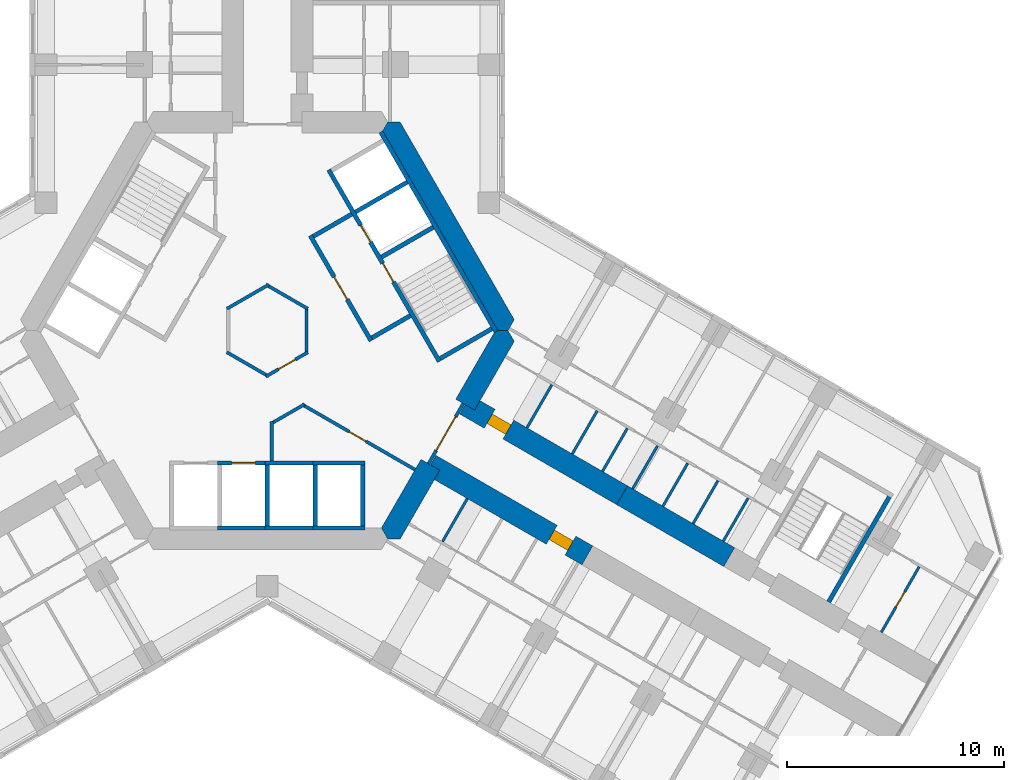
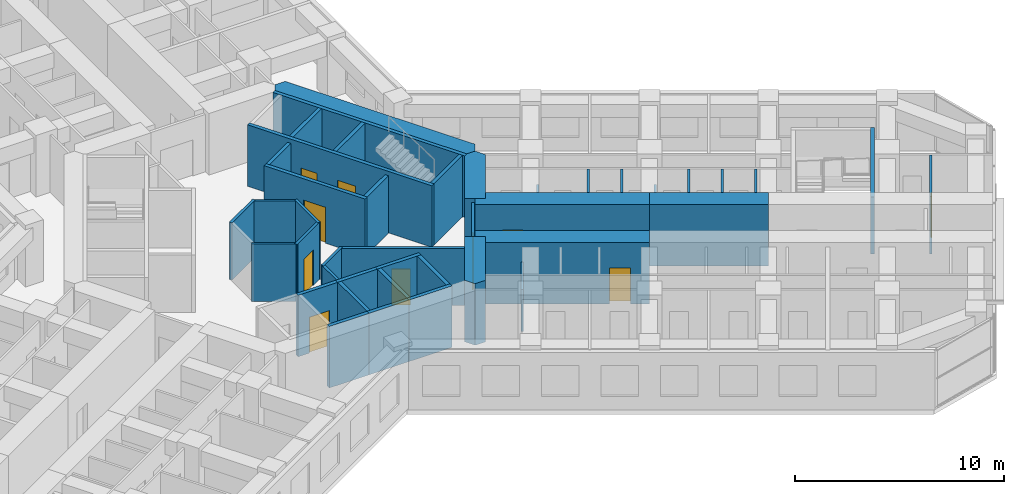
# One storey, part 15 of 21: 42 walls, 10 doors, 10 openings.
"""IFC4 building model written with IfcOpenShell, lengths in metres."""

import ifcopenshell
import ifcopenshell.guid

model = None  # the IFC model being written
_history = None  # IfcOwnerHistory: only IFC2X3 demands one
_inside = {}  # id of a spatial element -> (the spatial element, [elements in it])
_under = {}  # id of a project, library or spatial element -> (it, [spatial elements below it])
_declared = {}  # id of a project -> (the project, [libraries it declares])
_typed = {}  # id of a type object -> (the type object, [elements of that type])
_made_of = {}  # id of a material, layer set ... -> (it, [elements and type objects made of it])


def new_model(schema):
    """Start an empty IFC model of exactly this schema.

    Asked for "IFC4X3", IfcOpenShell would pick the latest addendum, in which some entities
    have other attributes; the version numbers below select the first issue.
    IFC2X3 requires an IfcOwnerHistory on every rooted entity: one is made here for all.
    """
    global model, _history
    if schema == "IFC4X3":
        model = ifcopenshell.file(schema_version=(4, 3, 0, 0))
    else:
        model = ifcopenshell.file(schema=schema)
    _inside.clear()
    _under.clear()
    _declared.clear()
    _typed.clear()
    _made_of.clear()
    _history = None
    if model.schema == "IFC2X3":
        org = make("IfcOrganization", Name="unknown")
        user = make(
            "IfcPersonAndOrganization",
            ThePerson=make("IfcPerson", FamilyName="unknown"),
            TheOrganization=org,
        )
        app = make(
            "IfcApplication",
            ApplicationDeveloper=org,
            Version="unknown",
            ApplicationFullName="unknown",
            ApplicationIdentifier="unknown",
        )
        _history = make(
            "IfcOwnerHistory",
            OwningUser=user,
            OwningApplication=app,
            ChangeAction="ADDED",
            CreationDate=0,
        )
    return model


def make(cls, **values):
    """One entity of the class cls with the attributes given. An attribute that is None is left unset."""
    return model.create_entity(
        cls, **{name: value for name, value in values.items() if value is not None}
    )


def rooted(cls, **values):
    """An entity with a GlobalId (a new one), such as an element, a storey or a relation."""
    return make(cls, GlobalId=ifcopenshell.guid.new(), OwnerHistory=_history, **values)


def si_unit(unit_type, name, prefix=None):
    """IfcSIUnit, for example si_unit("LENGTHUNIT", "METRE", prefix="MILLI")."""
    return make("IfcSIUnit", UnitType=unit_type, Prefix=prefix, Name=name)


def assignment(units):
    """IfcUnitAssignment: the units of a project."""
    return None if units is None else make("IfcUnitAssignment", Units=units)


def point(xyz):
    """IfcCartesianPoint."""
    return None if xyz is None else make("IfcCartesianPoint", Coordinates=xyz)


def direction(xyz):
    """IfcDirection."""
    return None if xyz is None else make("IfcDirection", DirectionRatios=xyz)


def frame(location, z_axis=None, x_axis=None):
    """IfcAxis2Placement3D, a coordinate frame: its origin and axes. An axis left out is left unset."""
    return make(
        "IfcAxis2Placement3D",
        Location=point(location),
        Axis=direction(z_axis),
        RefDirection=direction(x_axis),
    )


def frame_2d(location, x_axis=None):
    """IfcAxis2Placement2D, a coordinate frame in the plane: its origin and x axis."""
    return make(
        "IfcAxis2Placement2D", Location=point(location), RefDirection=direction(x_axis)
    )


def origin():
    """The frame at (0, 0, 0) with its axes left unset."""
    return frame((0.0, 0.0, 0.0))


def place(relative_to, where):
    """IfcLocalPlacement: puts the frame where relative to a parent placement (None: the world)."""
    return make(
        "IfcLocalPlacement", PlacementRelTo=relative_to, RelativePlacement=where
    )


def context(
    kind, dimensions, precision=None, world=None, true_north=None, identifier=None
):
    """IfcGeometricRepresentationContext, for example the 3D "Model" context."""
    return make(
        "IfcGeometricRepresentationContext",
        ContextIdentifier=identifier,
        ContextType=kind,
        CoordinateSpaceDimension=dimensions,
        Precision=precision,
        WorldCoordinateSystem=world,
        TrueNorth=true_north,
    )


def subcontext(parent, identifier, kind, view, scale=None):
    """IfcGeometricRepresentationSubContext, for example "Body" below "Model"."""
    return make(
        "IfcGeometricRepresentationSubContext",
        ContextIdentifier=identifier,
        ContextType=kind,
        ParentContext=parent,
        TargetScale=scale,
        TargetView=view,
    )


def project(units=None, contexts=None):
    """IfcProject with its units and contexts."""
    return rooted(
        "IfcProject",
        Name="project",
        RepresentationContexts=contexts,
        UnitsInContext=assignment(units),
    )


def spatial(cls, under=None, at=None, **own):
    """A site, building, storey or space (cls), placed at a placement, below another one or the project."""
    s = rooted(cls, ObjectPlacement=at, **own)
    if under is not None:
        _under.setdefault(under.id(), (under, []))[1].append(s)
    return s


def polyline(points):
    """IfcPolyline through the points."""
    return make("IfcPolyline", Points=[point(p) for p in points])


def profile(cls, at=None, kind="AREA", **sizes):
    """A parametric profile (cls). Its sizes go by their IFC names, for example OverallWidth=200.0."""
    return make(cls, ProfileType=kind, Position=at, **sizes)


def rectangle(**sizes):
    """IfcRectangleProfileDef."""
    return profile("IfcRectangleProfileDef", **sizes)


def outline(outer, holes=None, kind="AREA"):
    """IfcArbitraryClosedProfileDef: a profile drawn as a closed curve; with holes, ...WithVoids."""
    if holes is None:
        return make("IfcArbitraryClosedProfileDef", ProfileType=kind, OuterCurve=outer)
    return make(
        "IfcArbitraryProfileDefWithVoids",
        ProfileType=kind,
        OuterCurve=outer,
        InnerCurves=holes,
    )


def extrude(swept, where, along, depth):
    """IfcExtrudedAreaSolid: the profile swept, set in the frame where, extruded along a direction by depth."""
    return make(
        "IfcExtrudedAreaSolid",
        SweptArea=swept,
        Position=where,
        ExtrudedDirection=direction(along),
        Depth=depth,
    )


def shape(context_of_items, identifier, shape_type, items):
    """IfcShapeRepresentation: the items that make up one representation, for example the "Body"."""
    return make(
        "IfcShapeRepresentation",
        ContextOfItems=context_of_items,
        RepresentationIdentifier=identifier,
        RepresentationType=shape_type,
        Items=items,
    )


def material(Name=None, Category=None):
    """IfcMaterial."""
    return make("IfcMaterial", Name=Name, Category=Category)


def layer(
    of_material, thickness, ventilated=None, Name=None, Category=None, Priority=None
):
    """IfcMaterialLayer: one layer of a wall or slab, of a material (None: an air gap)."""
    return make(
        "IfcMaterialLayer",
        Material=of_material,
        LayerThickness=thickness,
        IsVentilated=ventilated,
        Name=Name,
        Category=Category,
        Priority=Priority,
    )


def layer_set(layers, Name=None):
    """IfcMaterialLayerSet."""
    return make("IfcMaterialLayerSet", MaterialLayers=layers, LayerSetName=Name)


def made_of(thing, what):
    """Note that an element or type object is made of a material, layer set ...; save() writes the relation."""
    if what is not None:
        _made_of.setdefault(what.id(), (what, []))[1].append(thing)
    return thing


def type_object(cls, material=None, **own):
    """A type object (cls), such as IfcWallType, which elements share."""
    return made_of(rooted(cls, **own), material)


def element(
    cls,
    number,
    at=None,
    inside=None,
    cuts=None,
    type_object=None,
    material=None,
    context=None,
    identifier="Body",
    shape_type=None,
    held_by="IfcProductDefinitionShape",
    body=None,
    shapes=None,
    **own,
):
    """One element of the class cls, such as IfcWall. Its Tag is "e" and its number.

    at: its placement. inside: the storey or other place that contains it. cuts: it is an
    opening in that element (IfcRelVoidsElement). A single representation is given by context,
    identifier, shape_type and body (its items); several are given by shapes. held_by: the class
    of the entity that holds the representations. save() writes the other relations.
    """
    e = rooted(cls, Tag="e%d" % number, ObjectPlacement=at, **own)
    if body is not None:
        shapes = [shape(context, identifier, shape_type, body)]
    if shapes is not None:
        e.Representation = make(held_by, Representations=shapes)
    if inside is not None:
        _inside.setdefault(inside.id(), (inside, []))[1].append(e)
    if cuts is not None:
        rooted(
            "IfcRelVoidsElement", RelatingBuildingElement=cuts, RelatedOpeningElement=e
        )
    if type_object is not None:
        _typed.setdefault(type_object.id(), (type_object, []))[1].append(e)
    return made_of(e, material)


def fill(opening, filler):
    """IfcRelFillsElement: the door or window that sits in an opening."""
    return rooted(
        "IfcRelFillsElement",
        RelatingOpeningElement=opening,
        RelatedBuildingElement=filler,
    )


def aggregate(whole, parts):
    """IfcRelAggregates: a whole, such as a stair, and the parts it consists of."""
    return rooted("IfcRelAggregates", RelatingObject=whole, RelatedObjects=parts)


def save(model, path):
    """Write the relations noted so far, then the file.

    IfcRelAggregates (storeys below a building ...), IfcRelContainedInSpatialStructure (elements
    in a storey), IfcRelDefinesByType, IfcRelAssociatesMaterial and IfcRelDeclares: one each for
    every whole, place, type object, material and project.
    """
    for whole, parts in _under.values():
        aggregate(whole, parts)
    for where, things in _inside.values():
        rooted(
            "IfcRelContainedInSpatialStructure",
            RelatedElements=things,
            RelatingStructure=where,
        )
    for kind, things in _typed.values():
        rooted("IfcRelDefinesByType", RelatedObjects=things, RelatingType=kind)
    for what, things in _made_of.values():
        rooted("IfcRelAssociatesMaterial", RelatedObjects=things, RelatingMaterial=what)
    for by, libraries in _declared.values():
        rooted("IfcRelDeclares", RelatingContext=by, RelatedDefinitions=libraries)
    model.write(path)


model = new_model("IFC4")

# Units and contexts
model_context = context("Model", 3, precision=1e-05, world=origin(), true_north=direction((0.0, 1.0)))
body_context = subcontext(model_context, "Body", "Model", "MODEL_VIEW")
ifc_project = project(units=[si_unit("LENGTHUNIT", "METRE"), si_unit("AREAUNIT", "SQUARE_METRE"), si_unit("VOLUMEUNIT", "CUBIC_METRE"), si_unit("PLANEANGLEUNIT", "RADIAN"), si_unit("MASSUNIT", "GRAM", prefix="KILO")], contexts=[model_context])

# Site, building, storey
site_placement = place(None, origin())
site = spatial("IfcSite", under=ifc_project, at=site_placement, CompositionType="ELEMENT")
building_placement = place(site_placement, origin())
building = spatial("IfcBuilding", under=site, at=building_placement, Name="Kosmar Iwan School Tower", CompositionType="ELEMENT")
storey_placement = place(building_placement, frame((0.0, 0.0, 64.60009765625)))
storey = spatial("IfcBuildingStorey", under=building, at=storey_placement, Name="L15", CompositionType="ELEMENT", Elevation=64.60009765625)

# Wall, opening, door
ifc_material_1 = material(Name="Gypsum board on steel studs, fire-rated", Category="steel")
ifc_layer_1 = layer(ifc_material_1, 0.14990234375)
ifc_layer_set_1 = layer_set([ifc_layer_1], Name="Core room partition 150")
wall_type_1 = type_object("IfcWallType", Name="Core room partition 150", PredefinedType="PARTITIONING", material=ifc_layer_set_1)
wall_1_placement = place(storey_placement, frame((1.864990234375, -1.001708984375, 0.0), z_axis=(0.0, 0.0, 1.0), x_axis=(-0.866023215828, -0.500003789632, 0.0)))
wall_1 = element("IfcWall", 1, at=wall_1_placement, inside=storey, type_object=wall_type_1, Name="Core room partition L15-CW4", PredefinedType="PARTITIONING", context=body_context, shape_type="SweptSolid", body=[
    extrude(rectangle(XDim=2.228515625, YDim=0.14990234375, at=frame_2d((1.1142578125, 0.0))), origin(), (0.0, 0.0, 1.0), 3.349853515625),
])
opening_1_placement = place(wall_1_placement, frame((0.6640625, 0.0, 0.0)))
opening_1 = element("IfcOpeningElement", 2, at=opening_1_placement, cuts=wall_1, Name="Opening D14", PredefinedType="OPENING", context=body_context, shape_type="SweptSolid", body=[
    extrude(rectangle(XDim=0.89990234375, YDim=2.10009765625, at=frame_2d((0.449951171875, 1.050048828125))), frame((0.0, 0.0869140625, 0.0), z_axis=(0.0, -1.0, 0.0), x_axis=(1.0, 0.0, 0.0)), (0.0, 0.0, 1.0), 0.173828125),
])
ifc_material_2 = material(Name="Timber fire door in steel frame", Category="steel")
door_type_1 = type_object("IfcDoorType", Name="Core room door 900x2100", OperationType="SINGLE_SWING_LEFT", PredefinedType="DOOR", material=ifc_material_2)
door_1_placement = place(opening_1_placement, origin())
door_1 = element("IfcDoor", 3, at=door_1_placement, inside=storey, type_object=door_type_1, Name="Parcel room door L15 3", OperationType="SINGLE_SWING_RIGHT", OverallHeight=2.10009765625, OverallWidth=0.89990234375, PredefinedType="DOOR", context=body_context, shape_type="SweptSolid", body=[
    extrude(rectangle(XDim=0.89990234375, YDim=2.10009765625, at=frame_2d((0.449951171875, 1.050048828125))), frame((0.0, 0.02490234375, 0.0), z_axis=(0.0, -1.0, 0.0), x_axis=(1.0, 0.0, 0.0)), (0.0, 0.0, 1.0), 0.050048828125),
])
fill(opening_1, door_1)

# Walls
for number, where, z_axis, x_axis, name in (
    (4, (0.06494140625, -2.115966796875, 0.0), (0.0, 0.0, 1.0), (-0.866023215828, 0.500003789632, 0.0), "Core room partition L15-CW5"),
    (5, (-1.864990234375, 1.001708984375, 0.0), (0.0, 0.0, 1.0), (0.866023215828, 0.500003789632, 0.0), "Core room partition L15-CW7"),
    (6, (-0.06494140625, 2.115966796875, 0.0), (0.0, 0.0, 1.0), (0.866023215828, -0.500003789632, 0.0), "Core room partition L15-CW8"),
    (7, (1.800048828125, 1.1142578125, 0.0), (0.0, 0.0, 1.0), (0.0, -1.0, 0.0), "Core room partition L15-CW9"),
):
    element("IfcWall", number, at=place(storey_placement, frame(where, z_axis=z_axis, x_axis=x_axis)), inside=storey, type_object=wall_type_1, Name=name, PredefinedType="PARTITIONING", context=body_context, shape_type="SweptSolid", body=[
        extrude(rectangle(XDim=2.228515625, YDim=0.14990234375, at=frame_2d((1.1142578125, 0.0))), origin(), (0.0, 0.0, 1.0), 3.349853515625),
    ])
wall_2_placement = place(storey_placement, frame((0.199951171875, -6.0048828125, 0.0), z_axis=(0.0, 0.0, 1.0), x_axis=(0.0, 1.0, 0.0)))
element("IfcWall", 8, at=wall_2_placement, inside=storey, type_object=wall_type_1, Name="Core room partition L15-CW10", PredefinedType="PARTITIONING", context=body_context, shape_type="SweptSolid", body=[
    extrude(rectangle(XDim=1.807373046875, YDim=0.14990234375, at=frame_2d((0.90380859375, 0.0))), origin(), (0.0, 0.0, 1.0), 3.349853515625),
])
wall_3_placement = place(storey_placement, frame((0.135009765625, -4.309814453125, 0.0), z_axis=(0.0, 0.0, 1.0), x_axis=(0.866027350463, 0.499996628238, 0.0)))
element("IfcWall", 9, at=wall_3_placement, inside=storey, type_object=wall_type_1, Name="Core room partition L15-CW11", PredefinedType="PARTITIONING", context=body_context, shape_type="SweptSolid", body=[
    extrude(rectangle(XDim=1.82421875, YDim=0.14990234375, at=frame_2d((0.912109375, 0.0))), origin(), (0.0, 0.0, 1.0), 3.349853515625),
])

# Wall, opening, door
wall_4_placement = place(storey_placement, frame((1.5849609375, -3.397705078125, 0.0), z_axis=(0.0, 0.0, 1.0), x_axis=(0.866029672069, -0.499992607041, 0.0)))
wall_4 = element("IfcWall", 10, at=wall_4_placement, inside=storey, type_object=wall_type_1, Name="Core room partition L15-CW12", PredefinedType="PARTITIONING", context=body_context, shape_type="SweptSolid", body=[
    extrude(rectangle(XDim=6.0234375, YDim=0.14990234375, at=frame_2d((3.01171875, 0.0))), origin(), (0.0, 0.0, 1.0), 3.349853515625),
])
opening_2_placement = place(wall_4_placement, frame((2.52197265625, 0.0, 0.0)))
opening_2 = element("IfcOpeningElement", 11, at=opening_2_placement, cuts=wall_4, Name="Opening D14", PredefinedType="OPENING", context=body_context, shape_type="SweptSolid", body=[
    extrude(rectangle(XDim=0.89990234375, YDim=2.10009765625, at=frame_2d((0.449951171875, 1.050048828125))), frame((0.0, 0.0869140625, 0.0), z_axis=(0.0, -1.0, 0.0), x_axis=(1.0, 0.0, 0.0)), (0.0, 0.0, 1.0), 0.173828125),
])
door_2_placement = place(opening_2_placement, origin())
door_2 = element("IfcDoor", 12, at=door_2_placement, inside=storey, type_object=door_type_1, Name="Staff WC door L15 4", OperationType="SINGLE_SWING_LEFT", OverallHeight=2.10009765625, OverallWidth=0.89990234375, PredefinedType="DOOR", context=body_context, shape_type="SweptSolid", body=[
    extrude(rectangle(XDim=0.89990234375, YDim=2.10009765625, at=frame_2d((0.449951171875, 1.050048828125))), frame((0.0, 0.02490234375, 0.0), z_axis=(0.0, -1.0, 0.0), x_axis=(1.0, 0.0, 0.0)), (0.0, 0.0, 1.0), 0.050048828125),
])
fill(opening_2, door_2)

# Walls
ifc_material_3 = material(Name="Concrete C50/60", Category="concrete")
ifc_layer_2 = layer(ifc_material_3, 1.0)
ifc_layer_set_2 = layer_set([ifc_layer_2], Name="Core wall 1000")
wall_type_2 = type_object("IfcWallType", Name="Core wall 1000", PredefinedType="SHEAR", material=ifc_layer_set_2)
wall_5_placement = place(storey_placement, origin())
element("IfcWall", 13, at=wall_5_placement, inside=storey, type_object=wall_type_2, Name="Core wall F030", PredefinedType="SHEAR", context=body_context, shape_type="SweptSolid", body=[
    extrude(outline(polyline([(10.5078125, 0.0), (11.085205078125, 0.0), (11.373779296875, 0.5), (6.119873046875, 9.60009765625), (5.54248046875, 9.60009765625), (5.25390625, 9.10009765625), (10.5078125, 0.0)])), origin(), (0.0, 0.0, 1.0), 3.599853515625),
])
wall_6_placement = place(storey_placement, origin())
element("IfcWall", 14, at=wall_6_placement, inside=storey, type_object=wall_type_2, Name="Core wall F330a", PredefinedType="SHEAR", context=body_context, shape_type="SweptSolid", body=[
    extrude(outline(polyline([(5.54248046875, -9.60009765625), (6.119873046875, -9.60009765625), (7.94677734375, -6.435546875), (7.080810546875, -5.935546875), (5.25390625, -9.10009765625), (5.54248046875, -9.60009765625)])), origin(), (0.0, 0.0, 1.0), 3.599853515625),
])
wall_7_placement = place(storey_placement, origin())
element("IfcWall", 15, at=wall_7_placement, inside=storey, type_object=wall_type_2, Name="Core wall F330b", PredefinedType="SHEAR", context=body_context, shape_type="SweptSolid", body=[
    extrude(outline(polyline([(9.546875, -3.664306640625), (11.373779296875, -0.5), (11.085205078125, 0.0), (10.5078125, 0.0), (8.680908203125, -3.164306640625), (9.546875, -3.664306640625)])), origin(), (0.0, 0.0, 1.0), 3.599853515625),
])

# Wall, opening, door
ifc_material_4 = material(Name="Concrete C50/60", Category="concrete")
ifc_layer_3 = layer(ifc_material_4, 1.0)
ifc_layer_set_3 = layer_set([ifc_layer_3], Name="Corridor buttress wall 1000")
wall_type_3 = type_object("IfcWallType", Name="Corridor buttress wall 1000", PredefinedType="SHEAR", material=ifc_layer_set_3)
wall_8_placement = place(storey_placement, frame((9.11376953125, -3.414306640625, 0.0), z_axis=(0.0, 0.0, 1.0), x_axis=(0.866026859388, -0.499997478812, 0.0)))
wall_8 = element("IfcWall", 16, at=wall_8_placement, inside=storey, type_object=wall_type_3, Name="Corridor wall CL", PredefinedType="SHEAR", context=body_context, shape_type="SweptSolid", body=[
    extrude(rectangle(XDim=8.35009765625, YDim=1.0, at=frame_2d((4.175048828125, 0.0))), origin(), (0.0, 0.0, 1.0), 3.599853515625),
])
opening_3_placement = place(wall_8_placement, frame((1.300048828125, 0.0, 0.0)))
opening_3 = element("IfcOpeningElement", 17, at=opening_3_placement, cuts=wall_8, Name="Opening D1", PredefinedType="OPENING", context=body_context, shape_type="SweptSolid", body=[
    extrude(rectangle(XDim=1.0, YDim=2.10009765625, at=frame_2d((0.5, 1.050048828125))), frame((0.0, 0.511962890625, 0.0), z_axis=(0.0, -1.0, 0.0), x_axis=(1.0, 0.0, 0.0)), (0.0, 0.0, 1.0), 1.02392578125),
])
ifc_material_5 = material(Name="Timber fire door in steel frame", Category="steel")
door_type_2 = type_object("IfcDoorType", Name="Flat entrance door 1000x2100", OperationType="SINGLE_SWING_LEFT", PredefinedType="DOOR", material=ifc_material_5)
door_3_placement = place(opening_3_placement, origin())
door_3 = element("IfcDoor", 18, at=door_3_placement, inside=storey, type_object=door_type_2, Name="Flat L15-CL1 entrance door", OperationType="SINGLE_SWING_RIGHT", OverallHeight=2.10009765625, OverallWidth=1.0, PredefinedType="DOOR", context=body_context, shape_type="SweptSolid", body=[
    extrude(rectangle(XDim=1.0, YDim=2.10009765625, at=frame_2d((0.5, 1.050048828125))), frame((0.0, 0.25, 0.0), z_axis=(0.0, -1.0, 0.0), x_axis=(1.0, 0.0, 0.0)), (0.0, 0.0, 1.0), 0.5),
])
fill(opening_3, door_3)

# Wall
wall_9_placement = place(storey_placement, frame((16.34521484375, -7.58935546875, 0.0), z_axis=(0.0, 0.0, 1.0), x_axis=(0.866015111908, -0.50001782563, 0.0)))
element("IfcWall", 19, at=wall_9_placement, inside=storey, type_object=wall_type_3, Name="Corridor wall CL bay 2", PredefinedType="SHEAR", context=body_context, shape_type="SweptSolid", body=[
    extrude(rectangle(XDim=5.699951171875, YDim=1.0, at=frame_2d((2.85009765625, 0.0))), origin(), (0.0, 0.0, 1.0), 3.599853515625),
])

# Wall, opening, door
wall_10_placement = place(storey_placement, frame((7.513916015625, -6.185546875, 0.0), z_axis=(0.0, 0.0, 1.0), x_axis=(0.866019549707, -0.500010139422, 0.0)))
wall_10 = element("IfcWall", 20, at=wall_10_placement, inside=storey, type_object=wall_type_3, Name="Corridor wall CR", PredefinedType="SHEAR", context=body_context, shape_type="SweptSolid", body=[
    extrude(rectangle(XDim=8.349853515625, YDim=1.0, at=frame_2d((4.1748046875, 0.0))), origin(), (0.0, 0.0, 1.0), 3.599853515625),
])
opening_4_placement = place(wall_10_placement, frame((6.449951171875, 0.0, 0.0)))
opening_4 = element("IfcOpeningElement", 21, at=opening_4_placement, cuts=wall_10, Name="Opening D1", PredefinedType="OPENING", context=body_context, shape_type="SweptSolid", body=[
    extrude(rectangle(XDim=1.0, YDim=2.10009765625, at=frame_2d((0.5, 1.050048828125))), frame((0.0, 0.511962890625, 0.0), z_axis=(0.0, -1.0, 0.0), x_axis=(1.0, 0.0, 0.0)), (0.0, 0.0, 1.0), 1.02392578125),
])
door_4_placement = place(opening_4_placement, origin())
door_4 = element("IfcDoor", 22, at=door_4_placement, inside=storey, type_object=door_type_2, Name="Flat L15-CR1 entrance door", OperationType="SINGLE_SWING_RIGHT", OverallHeight=2.10009765625, OverallWidth=1.0, PredefinedType="DOOR", context=body_context, shape_type="SweptSolid", body=[
    extrude(rectangle(XDim=1.0, YDim=2.10009765625, at=frame_2d((0.5, 1.050048828125))), frame((0.0, 0.25, 0.0), z_axis=(0.0, -1.0, 0.0), x_axis=(1.0, 0.0, 0.0)), (0.0, 0.0, 1.0), 0.5),
])
fill(opening_4, door_4)

ifc_material_6 = material(Name="Steel framed glazed screen", Category="steel")
ifc_layer_4 = layer(ifc_material_6, 0.14990234375)
ifc_layer_set_4 = layer_set([ifc_layer_4], Name="Corridor screen wall 150")
wall_type_4 = type_object("IfcWallType", Name="Corridor screen wall 150", PredefinedType="PARTITIONING", material=ifc_layer_set_4)
wall_11_placement = place(storey_placement, frame((7.42724609375, -6.1357421875, 0.0), z_axis=(0.0, 0.0, 1.0), x_axis=(0.499995408039, 0.866028054938, 0.0)))
wall_11 = element("IfcWall", 23, at=wall_11_placement, inside=storey, type_object=wall_type_4, Name="Corridor screen C L15", PredefinedType="PARTITIONING", context=body_context, shape_type="SweptSolid", body=[
    extrude(rectangle(XDim=3.2001953125, YDim=0.14990234375, at=frame_2d((1.60009765625, 0.0))), origin(), (0.0, 0.0, 1.0), 3.349853515625),
])
opening_5_placement = place(wall_11_placement, frame((0.699951171875, 0.0, 0.0)))
opening_5 = element("IfcOpeningElement", 24, at=opening_5_placement, cuts=wall_11, Name="Opening D9", PredefinedType="OPENING", context=body_context, shape_type="SweptSolid", body=[
    extrude(rectangle(XDim=1.800048828125, YDim=2.10009765625, at=frame_2d((0.89990234375, 1.050048828125))), frame((0.0, 0.0869140625, 0.0), z_axis=(0.0, -1.0, 0.0), x_axis=(1.0, 0.0, 0.0)), (0.0, 0.0, 1.0), 0.173828125),
])
ifc_material_7 = material(Name="Steel framed glazed smoke door", Category="steel")
door_type_3 = type_object("IfcDoorType", Name="Corridor smoke door pair 1800x2100", OperationType="DOUBLE_DOOR_DOUBLE_SWING", PredefinedType="DOOR", material=ifc_material_7)
door_5_placement = place(opening_5_placement, origin())
door_5 = element("IfcDoor", 25, at=door_5_placement, inside=storey, type_object=door_type_3, Name="Corridor doors C L15", OperationType="DOUBLE_DOOR_DOUBLE_SWING", OverallHeight=2.10009765625, OverallWidth=1.800048828125, PredefinedType="DOOR", context=body_context, shape_type="SweptSolid", body=[
    extrude(rectangle(XDim=1.800048828125, YDim=2.10009765625, at=frame_2d((0.89990234375, 1.050048828125))), frame((0.0, 0.02490234375, 0.0), z_axis=(0.0, -1.0, 0.0), x_axis=(1.0, 0.0, 0.0)), (0.0, 0.0, 1.0), 0.050048828125),
])
fill(opening_5, door_5)

# Walls
ifc_material_8 = material(Name="Gypsum board on steel studs", Category="steel")
ifc_layer_5 = layer(ifc_material_8, 0.1201171875)
ifc_layer_set_5 = layer_set([ifc_layer_5], Name="Dwelling partition 120")
wall_type_5 = type_object("IfcWallType", Name="Dwelling partition 120", PredefinedType="PARTITIONING", material=ifc_layer_set_5)
wall_12_placement = place(storey_placement, frame((11.9619140625, -4.4814453125, 0.0), z_axis=(0.0, 0.0, 1.0), x_axis=(0.499968531483, 0.866043571379, 0.0)))
element("IfcWall", 26, at=wall_12_placement, inside=storey, type_object=wall_type_5, Name="Partition L15-CL1-Y1", PredefinedType="PARTITIONING", context=body_context, shape_type="SweptSolid", body=[
    extrude(rectangle(XDim=2.290283203125, YDim=0.1201171875, at=frame_2d((1.14501953125, 0.0))), origin(), (0.0, 0.0, 1.0), 2.449951171875),
])
for number, where, z_axis, x_axis, name in (
    (27, (14.049072265625, -5.686279296875, 0.0), (0.0, 0.0, 1.0), (0.500014693593, 0.866016920268, 0.0), "Partition L15-CL1-Y2"),
    (28, (15.4404296875, -6.48974609375, 0.0), (0.0, 0.0, 1.0), (0.500014693593, 0.866016920268, 0.0), "Partition L15-CL1-Y3"),
):
    element("IfcWall", number, at=place(storey_placement, frame(where, z_axis=z_axis, x_axis=x_axis)), inside=storey, type_object=wall_type_5, Name=name, PredefinedType="PARTITIONING", context=body_context, shape_type="SweptSolid", body=[
        extrude(rectangle(XDim=2.2900390625, YDim=0.1201171875, at=frame_2d((1.14501953125, 0.0))), origin(), (0.0, 0.0, 1.0), 3.349853515625),
    ])
wall_13_placement = place(storey_placement, frame((16.831787109375, -7.29296875, 0.0), z_axis=(0.0, 0.0, 1.0), x_axis=(0.500014693593, 0.866016920268, 0.0)))
element("IfcWall", 29, at=wall_13_placement, inside=storey, type_object=wall_type_5, Name="Partition L15-CL1-Y4", PredefinedType="PARTITIONING", context=body_context, shape_type="SweptSolid", body=[
    extrude(rectangle(XDim=2.2900390625, YDim=0.1201171875, at=frame_2d((1.14501953125, 0.0))), origin(), (0.0, 0.0, 1.0), 2.449951171875),
])
wall_14_placement = place(storey_placement, frame((18.223388671875, -8.096435546875, 0.0), z_axis=(0.0, 0.0, 1.0), x_axis=(0.499968531483, 0.866043571379, 0.0)))
element("IfcWall", 30, at=wall_14_placement, inside=storey, type_object=wall_type_5, Name="Partition L15-CL1-Y5", PredefinedType="PARTITIONING", context=body_context, shape_type="SweptSolid", body=[
    extrude(rectangle(XDim=2.290283203125, YDim=0.1201171875, at=frame_2d((1.14501953125, 0.0))), origin(), (0.0, 0.0, 1.0), 3.349853515625),
])
wall_15_placement = place(storey_placement, frame((19.61474609375, -8.899658203125, 0.0), z_axis=(0.0, 0.0, 1.0), x_axis=(0.500014693593, 0.866016920268, 0.0)))
element("IfcWall", 31, at=wall_15_placement, inside=storey, type_object=wall_type_5, Name="Partition L15-CL1-Y6", PredefinedType="PARTITIONING", context=body_context, shape_type="SweptSolid", body=[
    extrude(rectangle(XDim=2.2900390625, YDim=0.1201171875, at=frame_2d((1.14501953125, 0.0))), origin(), (0.0, 0.0, 1.0), 3.349853515625),
])
wall_16_placement = place(storey_placement, frame((21.006103515625, -9.703125, 0.0), z_axis=(0.0, 0.0, 1.0), x_axis=(0.499968531483, 0.866043571379, 0.0)))
element("IfcWall", 32, at=wall_16_placement, inside=storey, type_object=wall_type_5, Name="Partition L15-CL1-Y7", PredefinedType="PARTITIONING", context=body_context, shape_type="SweptSolid", body=[
    extrude(rectangle(XDim=2.290283203125, YDim=0.1201171875, at=frame_2d((1.14501953125, 0.0))), origin(), (0.0, 0.0, 1.0), 3.349853515625),
])

# Wall, opening, door
wall_17_placement = place(storey_placement, frame((28.286376953125, -13.90625, 0.0), z_axis=(0.0, 0.0, 1.0), x_axis=(0.50002117804, 0.866013176292, 0.0)))
wall_17 = element("IfcWall", 33, at=wall_17_placement, inside=storey, type_object=wall_type_5, Name="Partition L15-CL2-TY", PredefinedType="PARTITIONING", context=body_context, shape_type="SweptSolid", body=[
    extrude(rectangle(XDim=3.489990234375, YDim=0.1201171875, at=frame_2d((1.7451171875, 0.0))), origin(), (0.0, 0.0, 1.0), 3.349853515625),
])
opening_6_placement = place(wall_17_placement, frame((1.344970703125, 0.0, 0.0)))
opening_6 = element("IfcOpeningElement", 34, at=opening_6_placement, cuts=wall_17, Name="Opening D3", PredefinedType="OPENING", context=body_context, shape_type="SweptSolid", body=[
    extrude(rectangle(XDim=0.800048828125, YDim=2.10009765625, at=frame_2d((0.39990234375, 1.050048828125))), frame((0.0, 0.072021484375, 0.0), z_axis=(0.0, -1.0, 0.0), x_axis=(1.0, 0.0, 0.0)), (0.0, 0.0, 1.0), 0.14404296875),
])
ifc_material_9 = material(Name="Timber door in timber frame", Category="wood")
door_type_4 = type_object("IfcDoorType", Name="Sanitary room door 800x2100", OperationType="SINGLE_SWING_LEFT", PredefinedType="DOOR", material=ifc_material_9)
door_6_placement = place(opening_6_placement, origin())
door_6 = element("IfcDoor", 35, at=door_6_placement, inside=storey, type_object=door_type_4, Name="Bathroom door L15-CL2-T4", OperationType="SINGLE_SWING_LEFT", OverallHeight=2.10009765625, OverallWidth=0.800048828125, PredefinedType="DOOR", context=body_context, shape_type="SweptSolid", body=[
    extrude(rectangle(XDim=0.800048828125, YDim=2.10009765625, at=frame_2d((0.39990234375, 1.050048828125))), frame((0.0, 0.02490234375, 0.0), z_axis=(0.0, -1.0, 0.0), x_axis=(1.0, 0.0, 0.0)), (0.0, 0.0, 1.0), 0.050048828125),
])
fill(opening_6, door_6)

# Walls
wall_18_placement = place(storey_placement, frame((9.21240234375, -7.74365234375, 0.0), z_axis=(0.0, 0.0, 1.0), x_axis=(-0.500014693593, -0.866016920268, 0.0)))
element("IfcWall", 36, at=wall_18_placement, inside=storey, type_object=wall_type_5, Name="Partition L15-CR1-Y1", PredefinedType="PARTITIONING", context=body_context, shape_type="SweptSolid", body=[
    extrude(rectangle(XDim=2.2900390625, YDim=0.1201171875, at=frame_2d((1.14501953125, 0.0))), origin(), (0.0, 0.0, 1.0), 2.449951171875),
])
ifc_material_10 = material(Name="Concrete C35/45", Category="concrete")
ifc_layer_6 = layer(ifc_material_10, 0.199951171875)
ifc_layer_set_6 = layer_set([ifc_layer_6], Name="Escape stair wall 200")
wall_type_6 = type_object("IfcWallType", Name="Escape stair wall 200", PredefinedType="SHEAR", material=ifc_layer_set_6)
wall_19_placement = place(storey_placement, frame((25.861572265625, -12.50634765625, 0.0), z_axis=(0.0, 0.0, 1.0), x_axis=(0.500018801468, 0.86601454848, 0.0)))
element("IfcWall", 37, at=wall_19_placement, inside=storey, type_object=wall_type_6, Name="Stair WS3 wall", PredefinedType="SHEAR", context=body_context, shape_type="SweptSolid", body=[
    extrude(rectangle(XDim=5.800048828125, YDim=0.199951171875, at=frame_2d((2.89990234375, 0.0))), origin(), (0.0, 0.0, 1.0), 3.329833984375),
])

# Wall, opening, door
ifc_material_11 = material(Name="Concrete block masonry", Category="masonry")
ifc_layer_7 = layer(ifc_material_11, 0.199951171875)
ifc_layer_set_7 = layer_set([ifc_layer_7], Name="Fire lobby wall 200")
wall_type_7 = type_object("IfcWallType", Name="Fire lobby wall 200", PredefinedType="PARTITIONING", material=ifc_layer_set_7)
wall_20_placement = place(storey_placement, frame((4.777587890625, -0.474853515625, 0.0), z_axis=(0.0, 0.0, 1.0), x_axis=(-0.500016814911, 0.866015695474, 0.0)))
wall_20 = element("IfcWall", 38, at=wall_20_placement, inside=storey, type_object=wall_type_7, Name="Firefighting lobby wall ST1", PredefinedType="PARTITIONING", context=body_context, shape_type="SweptSolid", body=[
    extrude(rectangle(XDim=5.599853515625, YDim=0.199951171875, at=frame_2d((2.7998046875, 0.0))), origin(), (0.0, 0.0, 1.0), 3.349853515625),
])
opening_7_placement = place(wall_20_placement, frame((2.199951171875, 0.0, 0.0)))
opening_7 = element("IfcOpeningElement", 39, at=opening_7_placement, cuts=wall_20, Name="Opening D7", PredefinedType="OPENING", context=body_context, shape_type="SweptSolid", body=[
    extrude(rectangle(XDim=1.199951171875, YDim=2.10009765625, at=frame_2d((0.60009765625, 1.050048828125))), frame((0.0, 0.112060546875, 0.0), z_axis=(0.0, -1.0, 0.0), x_axis=(1.0, 0.0, 0.0)), (0.0, 0.0, 1.0), 0.223876953125),
])
ifc_material_12 = material(Name="Steel fire door", Category="steel")
door_type_5 = type_object("IfcDoorType", Name="Fire lobby door 1200x2100", OperationType="SINGLE_SWING_LEFT", PredefinedType="DOOR", material=ifc_material_12)
door_7_placement = place(opening_7_placement, origin())
door_7 = element("IfcDoor", 40, at=door_7_placement, inside=storey, type_object=door_type_5, Name="Firefighting lobby door ST1 L15", OperationType="SINGLE_SWING_RIGHT", OverallHeight=2.10009765625, OverallWidth=1.199951171875, PredefinedType="DOOR", context=body_context, shape_type="SweptSolid", body=[
    extrude(rectangle(XDim=1.199951171875, YDim=2.10009765625, at=frame_2d((0.60009765625, 1.050048828125))), frame((0.0, 0.02490234375, 0.0), z_axis=(0.0, -1.0, 0.0), x_axis=(1.0, 0.0, 0.0)), (0.0, 0.0, 1.0), 0.050048828125),
])
fill(opening_7, door_7)

# Walls
wall_21_placement = place(storey_placement, frame((4.814208984375, -0.33837890625, 0.0), z_axis=(0.0, 0.0, 1.0), x_axis=(0.865969381856, 0.500097020274, 0.0)))
element("IfcWall", 41, at=wall_21_placement, inside=storey, type_object=wall_type_7, Name="Firefighting lobby wall ST1", PredefinedType="PARTITIONING", context=body_context, shape_type="SweptSolid", body=[
    extrude(rectangle(XDim=2.0498046875, YDim=0.199951171875, at=frame_2d((1.02490234375, 0.0))), origin(), (0.0, 0.0, 1.0), 3.349853515625),
])
wall_22_placement = place(storey_placement, frame((2.114013671875, 4.33837890625, 0.0), z_axis=(0.0, 0.0, 1.0), x_axis=(0.866050731258, 0.499956128963, 0.0)))
element("IfcWall", 42, at=wall_22_placement, inside=storey, type_object=wall_type_7, Name="Firefighting lobby wall ST1", PredefinedType="PARTITIONING", context=body_context, shape_type="SweptSolid", body=[
    extrude(rectangle(XDim=2.050048828125, YDim=0.199951171875, at=frame_2d((1.02490234375, 0.0))), origin(), (0.0, 0.0, 1.0), 3.349853515625),
])

# Wall, openings, doors
ifc_material_13 = material(Name="Concrete C50/60", Category="concrete")
ifc_layer_8 = layer(ifc_material_13, 0.199951171875)
ifc_layer_set_8 = layer_set([ifc_layer_8], Name="Lift shaft wall 200")
wall_type_8 = type_object("IfcWallType", Name="Lift shaft wall 200", PredefinedType="SHEAR", material=ifc_layer_set_8)
wall_23_placement = place(storey_placement, frame((7.926025390625, -1.42822265625, 0.0), z_axis=(0.0, 0.0, 1.0), x_axis=(-0.499998023675, 0.866026544813, 0.0)))
wall_23 = element("IfcWall", 43, at=wall_23_placement, inside=storey, type_object=wall_type_8, Name="Lift and stair front wall AC", PredefinedType="SHEAR", context=body_context, shape_type="SweptSolid", body=[
    extrude(rectangle(XDim=10.19970703125, YDim=0.199951171875, at=frame_2d((5.099853515625, 0.0))), origin(), (0.0, 0.0, 1.0), 3.599853515625),
])
opening_8_placement = place(wall_23_placement, frame((6.35009765625, 0.0, 0.0)))
opening_8 = element("IfcOpeningElement", 44, at=opening_8_placement, cuts=wall_23, Name="Opening LD2", PredefinedType="OPENING", context=body_context, shape_type="SweptSolid", body=[
    extrude(rectangle(XDim=0.89990234375, YDim=2.10009765625, at=frame_2d((0.449951171875, 1.050048828125))), frame((0.0, 0.112060546875, 0.0), z_axis=(0.0, -1.0, 0.0), x_axis=(1.0, 0.0, 0.0)), (0.0, 0.0, 1.0), 0.223876953125),
])
opening_9_placement = place(wall_23_placement, frame((4.22998046875, 0.0, 0.0)))
opening_9 = element("IfcOpeningElement", 45, at=opening_9_placement, cuts=wall_23, Name="Opening D6", PredefinedType="OPENING", context=body_context, shape_type="SweptSolid", body=[
    extrude(rectangle(XDim=1.0, YDim=2.10009765625, at=frame_2d((0.5, 1.050048828125))), frame((0.0, 0.112060546875, 0.0), z_axis=(0.0, -1.0, 0.0), x_axis=(1.0, 0.0, 0.0)), (0.0, 0.0, 1.0), 0.223876953125),
])
ifc_material_14 = material(Name="Stainless steel sliding lift door", Category="steel")
door_type_6 = type_object("IfcDoorType", Name="Firefighting lift landing door 900x2100", OperationType="SLIDING_TO_LEFT", PredefinedType="DOOR", material=ifc_material_14)
door_8_placement = place(opening_8_placement, origin())
door_8 = element("IfcDoor", 46, at=door_8_placement, inside=storey, type_object=door_type_6, Name="Lift FF1 landing door L15", OperationType="SLIDING_TO_LEFT", OverallHeight=2.10009765625, OverallWidth=0.89990234375, PredefinedType="DOOR", context=body_context, shape_type="SweptSolid", body=[
    extrude(rectangle(XDim=0.89990234375, YDim=2.10009765625, at=frame_2d((0.449951171875, 1.050048828125))), frame((0.0, 0.02490234375, 0.0), z_axis=(0.0, -1.0, 0.0), x_axis=(1.0, 0.0, 0.0)), (0.0, 0.0, 1.0), 0.050048828125),
])
fill(opening_8, door_8)
ifc_material_15 = material(Name="Steel fire door", Category="steel")
door_type_7 = type_object("IfcDoorType", Name="Stair door 1000x2100", OperationType="SINGLE_SWING_LEFT", PredefinedType="DOOR", material=ifc_material_15)
door_9_placement = place(opening_9_placement, origin())
door_9 = element("IfcDoor", 47, at=door_9_placement, inside=storey, type_object=door_type_7, Name="Stair ST1 door L15", OperationType="SINGLE_SWING_LEFT", OverallHeight=2.10009765625, OverallWidth=1.0, PredefinedType="DOOR", context=body_context, shape_type="SweptSolid", body=[
    extrude(rectangle(XDim=1.0, YDim=2.10009765625, at=frame_2d((0.5, 1.050048828125))), frame((0.0, 0.02490234375, 0.0), z_axis=(0.0, -1.0, 0.0), x_axis=(1.0, 0.0, 0.0)), (0.0, 0.0, 1.0), 0.050048828125),
])
fill(opening_9, door_9)

# Walls
wall_24_placement = place(storey_placement, frame((10.53662109375, -0.050048828125, 0.0), z_axis=(0.0, 0.0, 1.0), x_axis=(-0.499994998079, 0.866028291626, 0.0)))
element("IfcWall", 48, at=wall_24_placement, inside=storey, type_object=wall_type_8, Name="Lift and stair back wall AC", PredefinedType="SHEAR", context=body_context, shape_type="SweptSolid", body=[
    extrude(rectangle(XDim=10.623046875, YDim=0.199951171875, at=frame_2d((5.3115234375, 0.0))), origin(), (0.0, 0.0, 1.0), 3.599853515625),
])
wall_25_placement = place(storey_placement, frame((4.062744140625, 5.46337890625, 0.0), z_axis=(0.0, 0.0, 1.0), x_axis=(0.866027397988, 0.499996545922, 0.0)))
element("IfcWall", 49, at=wall_25_placement, inside=storey, type_object=wall_type_8, Name="Lift shaft wall AC 1", PredefinedType="SHEAR", context=body_context, shape_type="SweptSolid", body=[
    extrude(rectangle(XDim=2.75, YDim=0.199951171875, at=frame_2d((1.375, 0.0))), origin(), (0.0, 0.0, 1.0), 3.599853515625),
])

# Wall, opening, door
wall_26_placement = place(storey_placement, frame((-2.300048828125, -6.10009765625, 0.0), z_axis=(0.0, 0.0, 1.0), x_axis=(1.0, 0.0, 0.0)))
wall_26 = element("IfcWall", 50, at=wall_26_placement, inside=storey, type_object=wall_type_8, Name="Lift and stair front wall BC", PredefinedType="SHEAR", context=body_context, shape_type="SweptSolid", body=[
    extrude(rectangle(XDim=2.199951171875, YDim=0.199951171875, at=frame_2d((1.10009765625, 0.0))), origin(), (0.0, 0.0, 1.0), 3.599853515625),
])
opening_10_placement = place(wall_26_placement, frame((0.64990234375, 0.0, 0.0)))
opening_10 = element("IfcOpeningElement", 51, at=opening_10_placement, cuts=wall_26, Name="Opening LD1", PredefinedType="OPENING", context=body_context, shape_type="SweptSolid", body=[
    extrude(rectangle(XDim=1.10009765625, YDim=2.10009765625, at=frame_2d((0.550048828125, 1.050048828125))), frame((0.0, 0.112060546875, 0.0), z_axis=(0.0, -1.0, 0.0), x_axis=(1.0, 0.0, 0.0)), (0.0, 0.0, 1.0), 0.223876953125),
])
ifc_material_16 = material(Name="Stainless steel sliding lift door", Category="steel")
door_type_8 = type_object("IfcDoorType", Name="Lift landing door 1100x2100", OperationType="SLIDING_TO_LEFT", PredefinedType="DOOR", material=ifc_material_16)
door_10_placement = place(opening_10_placement, origin())
door_10 = element("IfcDoor", 52, at=door_10_placement, inside=storey, type_object=door_type_8, Name="Lift PL2 landing door L15", OperationType="SLIDING_TO_LEFT", OverallHeight=2.10009765625, OverallWidth=1.10009765625, PredefinedType="DOOR", context=body_context, shape_type="SweptSolid", body=[
    extrude(rectangle(XDim=1.10009765625, YDim=2.10009765625, at=frame_2d((0.550048828125, 1.050048828125))), frame((0.0, 0.02490234375, 0.0), z_axis=(0.0, -1.0, 0.0), x_axis=(1.0, 0.0, 0.0)), (0.0, 0.0, 1.0), 0.050048828125),
])
fill(opening_10, door_10)

# Walls
wall_27_placement = place(storey_placement, frame((-2.300048828125, -9.10009765625, 0.0), z_axis=(0.0, 0.0, 1.0), x_axis=(1.0, 0.0, 0.0)))
element("IfcWall", 53, at=wall_27_placement, inside=storey, type_object=wall_type_8, Name="Lift and stair back wall BC", PredefinedType="SHEAR", context=body_context, shape_type="SweptSolid", body=[
    extrude(rectangle(XDim=2.199951171875, YDim=0.199951171875, at=frame_2d((1.10009765625, 0.0))), origin(), (0.0, 0.0, 1.0), 3.599853515625),
])
for number, where, z_axis, x_axis, name in (
    (54, (-0.10009765625, -6.10009765625, 0.0), (0.0, 0.0, 1.0), (1.0, 0.0, 0.0), "Lift and stair front wall BC"),
    (55, (-0.10009765625, -9.10009765625, 0.0), (0.0, 0.0, 1.0), (1.0, 0.0, 0.0), "Lift and stair back wall BC"),
):
    element("IfcWall", number, at=place(storey_placement, frame(where, z_axis=z_axis, x_axis=x_axis)), inside=storey, type_object=wall_type_8, Name=name, PredefinedType="SHEAR", context=body_context, shape_type="SweptSolid", body=[
        extrude(rectangle(XDim=2.2001953125, YDim=0.199951171875, at=frame_2d((1.10009765625, 0.0))), origin(), (0.0, 0.0, 1.0), 3.599853515625),
    ])
for number, where, z_axis, x_axis, name in (
    (56, (2.10009765625, -6.10009765625, 0.0), (0.0, 0.0, 1.0), (1.0, 0.0, 0.0), "Lift and stair front wall BC"),
    (57, (2.10009765625, -9.10009765625, 0.0), (0.0, 0.0, 1.0), (1.0, 0.0, 0.0), "Lift and stair back wall BC"),
):
    element("IfcWall", number, at=place(storey_placement, frame(where, z_axis=z_axis, x_axis=x_axis)), inside=storey, type_object=wall_type_8, Name=name, PredefinedType="SHEAR", context=body_context, shape_type="SweptSolid", body=[
        extrude(rectangle(XDim=2.39990234375, YDim=0.199951171875, at=frame_2d((1.199951171875, 0.0))), origin(), (0.0, 0.0, 1.0), 3.599853515625),
    ])
for number, where, z_axis, x_axis, name in (
    (58, (0.0, -6.199951171875, 0.0), (0.0, 0.0, 1.0), (0.0, -1.0, 0.0), "Lift shaft wall BC 2"),
    (59, (2.199951171875, -6.199951171875, 0.0), (0.0, 0.0, 1.0), (0.0, -1.0, 0.0), "Lift shaft wall BC 3"),
    (60, (4.39990234375, -6.199951171875, 0.0), (0.0, 0.0, 1.0), (0.0, -1.0, 0.0), "Lift shaft wall BC 4"),
):
    element("IfcWall", number, at=place(storey_placement, frame(where, z_axis=z_axis, x_axis=x_axis)), inside=storey, type_object=wall_type_8, Name=name, PredefinedType="SHEAR", context=body_context, shape_type="SweptSolid", body=[
        extrude(rectangle(XDim=2.800048828125, YDim=0.199951171875, at=frame_2d((1.39990234375, 0.0))), origin(), (0.0, 0.0, 1.0), 3.599853515625),
    ])
ifc_material_17 = material(Name="Concrete C50/60", Category="concrete")
ifc_layer_9 = layer(ifc_material_17, 0.199951171875)
ifc_layer_set_9 = layer_set([ifc_layer_9], Name="Stair enclosure wall 200")
wall_type_9 = type_object("IfcWallType", Name="Stair enclosure wall 200", PredefinedType="SHEAR", material=ifc_layer_set_9)
for number, where, z_axis, x_axis, name in (
    (61, (7.962646484375, -1.291748046875, 0.0), (0.0, 0.0, 1.0), (0.866027397988, 0.499996545922, 0.0), "Stair ST1 wall"),
    (62, (5.2626953125, 3.384765625, 0.0), (0.0, 0.0, 1.0), (0.866027397988, 0.499996545922, 0.0), "Stair ST1 wall"),
):
    element("IfcWall", number, at=place(storey_placement, frame(where, z_axis=z_axis, x_axis=x_axis)), inside=storey, type_object=wall_type_9, Name=name, PredefinedType="SHEAR", context=body_context, shape_type="SweptSolid", body=[
        extrude(rectangle(XDim=2.75, YDim=0.199951171875, at=frame_2d((1.375, 0.0))), origin(), (0.0, 0.0, 1.0), 3.599853515625),
    ])

save(model, "model.ifc")
